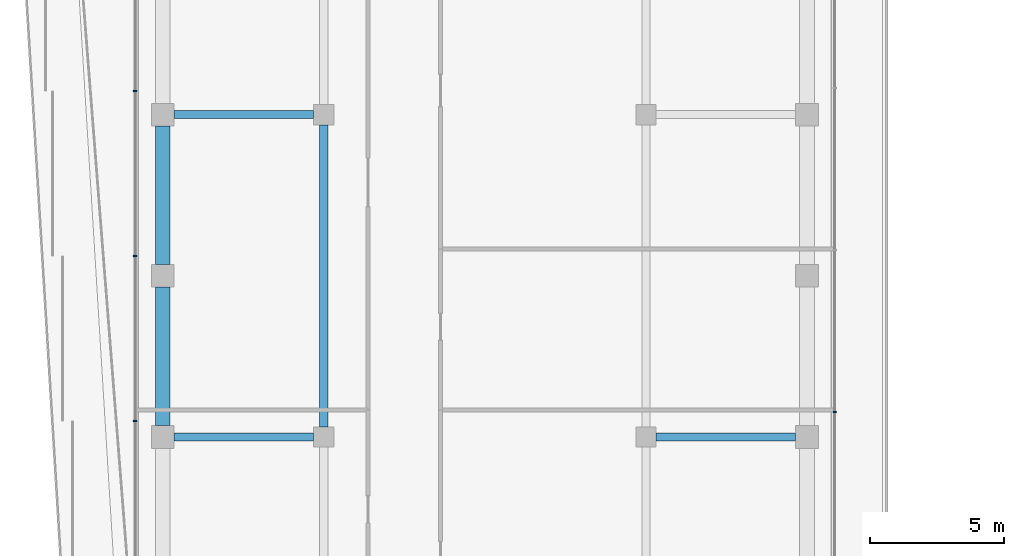
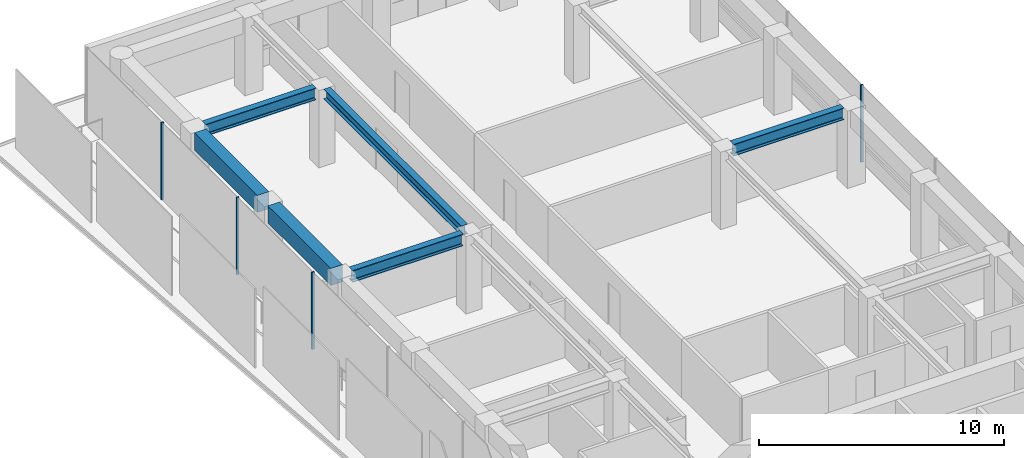
# One storey, part 13 of 21: 6 beams, 4 members, 2 elements without a shape of their own.
"""IFC4 building model written with IfcOpenShell, lengths in metres."""

from ifc_helpers import new_model, si_unit, direction, frame, origin, origin_2d, place, context, subcontext, project, spatial, rectangle, i_section, extrude, material, layer, layer_set, material_profile, profile_set, type_object, element, aggregate, save


model = new_model("IFC4")

# Units and contexts
model_context = context("Model", 3, precision=1e-05, world=origin(), true_north=direction((0.0, 1.0)))
body_context = subcontext(model_context, "Body", "Model", "MODEL_VIEW")
ifc_project = project(units=[si_unit("LENGTHUNIT", "METRE"), si_unit("AREAUNIT", "SQUARE_METRE"), si_unit("VOLUMEUNIT", "CUBIC_METRE"), si_unit("PLANEANGLEUNIT", "RADIAN"), si_unit("MASSUNIT", "GRAM", prefix="KILO")], contexts=[model_context])

# Site, building, storey
site_placement = place(None, origin())
site = spatial("IfcSite", under=ifc_project, at=site_placement, CompositionType="ELEMENT")
building_placement = place(site_placement, origin())
building = spatial("IfcBuilding", under=site, at=building_placement, Name="Welwitschia Terrace Campus", CompositionType="ELEMENT")
storey_placement = place(building_placement, frame((0.0, 0.0, 184.39990234375)))
storey = spatial("IfcBuildingStorey", under=building, at=storey_placement, Name="L41", CompositionType="ELEMENT", Elevation=184.39990234375)

# Beam
ifc_material_1 = material(Name="Steel S355", Category="steel")
ifc_material_profile_1 = material_profile(ifc_material_1, i_section(OverallWidth=0.300048828125, OverallDepth=0.489990234375, WebThickness=0.011962890625, FlangeThickness=0.02294921875, FilletRadius=0.027099609375, at=origin_2d()))
ifc_profile_set_1 = profile_set([ifc_material_profile_1], Name="Steel S355")
beam_type_1 = type_object("IfcBeamType", Name="Interior girder HE 500 A", PredefinedType="BEAM", material=ifc_profile_set_1)
beam_placement = place(storey_placement, frame((6.0, 44.37548828125, 3.60498046875), z_axis=(0.0, 1.0, 0.0), x_axis=(-1.0, 0.0, 0.0)))
element("IfcBeam", 1, at=beam_placement, inside=storey, type_object=beam_type_1, Name="Girder GB4", PredefinedType="BEAM", context=body_context, shape_type="SweptSolid", body=[
    extrude(i_section(OverallWidth=0.300048828125, OverallDepth=0.489990234375, WebThickness=0.011962890625, FlangeThickness=0.02294921875, FilletRadius=0.027099609375, at=origin_2d()), origin(), (0.0, 0.0, 1.0), 11.2490234375),
])

# Curtain wall, member
ifc_material_2 = material(Name="Bronze anodised aluminium", Category="aluminium")
ifc_layer = layer(ifc_material_2, 0.1201171875)
ifc_layer_set = layer_set([ifc_layer], Name="Bronze anodised aluminium")
curtain_wall_type = type_object("IfcCurtainWallType", Name="Curtain wall CW2 tower 6000", PredefinedType="NOTDEFINED", material=ifc_layer_set)
curtain_wall_1_placement = place(storey_placement, origin())
curtain_wall_1 = element("IfcCurtainWall", 2, at=curtain_wall_1_placement, inside=storey, type_object=curtain_wall_type, Name="CW L41.7.0", PredefinedType="NOTDEFINED")
ifc_material_3 = material(Name="Bronze anodised aluminium", Category="aluminium")
ifc_material_profile_2 = material_profile(ifc_material_3, rectangle(XDim=0.1201171875, YDim=0.06005859375, at=origin_2d()))
ifc_profile_set_2 = profile_set([ifc_material_profile_2], Name="Bronze anodised aluminium")
member_type = type_object("IfcMemberType", Name="Mullion 60x120", PredefinedType="MULLION", material=ifc_profile_set_2)
member_1_placement = place(storey_placement, frame((25.030029296875, 44.92919921875, 0.0), z_axis=(0.0, 0.0, 1.0), x_axis=(-1.0, 0.0, 0.0)))
member_1 = element("IfcMember", 3, at=member_1_placement, type_object=member_type, Name="Mullion L41.7.0.3", PredefinedType="MULLION", context=body_context, shape_type="SweptSolid", body=[
    extrude(rectangle(XDim=0.1201171875, YDim=0.06005859375, at=origin_2d()), origin(), (0.0, 0.0, 1.0), 3.85009765625),
])
aggregate(curtain_wall_1, [member_1])

# Curtain wall, members
curtain_wall_2_placement = place(storey_placement, origin())
curtain_wall_2 = element("IfcCurtainWall", 4, at=curtain_wall_2_placement, inside=storey, type_object=curtain_wall_type, Name="CW L41.10.0", PredefinedType="NOTDEFINED")
member_2_placement = place(storey_placement, frame((-1.030029296875, 56.88427734375, 0.0), z_axis=(0.0, 0.0, 1.0), x_axis=(1.0, 0.0, 0.0)))
member_2 = element("IfcMember", 5, at=member_2_placement, type_object=member_type, Name="Mullion L41.10.0.1", PredefinedType="MULLION", context=body_context, shape_type="SweptSolid", body=[
    extrude(rectangle(XDim=0.1201171875, YDim=0.06005859375, at=origin_2d()), origin(), (0.0, 0.0, 1.0), 3.85009765625),
])
member_3_placement = place(storey_placement, frame((-1.030029296875, 50.73876953125, 0.0), z_axis=(0.0, 0.0, 1.0), x_axis=(1.0, 0.0, 0.0)))
member_3 = element("IfcMember", 6, at=member_3_placement, type_object=member_type, Name="Mullion L41.10.0.2", PredefinedType="MULLION", context=body_context, shape_type="SweptSolid", body=[
    extrude(rectangle(XDim=0.1201171875, YDim=0.06005859375, at=origin_2d()), origin(), (0.0, 0.0, 1.0), 3.85009765625),
])
member_4_placement = place(storey_placement, frame((-1.030029296875, 44.593017578125, 0.0), z_axis=(0.0, 0.0, 1.0), x_axis=(1.0, 0.0, 0.0)))
member_4 = element("IfcMember", 7, at=member_4_placement, type_object=member_type, Name="Mullion L41.10.0.3", PredefinedType="MULLION", context=body_context, shape_type="SweptSolid", body=[
    extrude(rectangle(XDim=0.1201171875, YDim=0.06005859375, at=origin_2d()), origin(), (0.0, 0.0, 1.0), 3.85009765625),
])
aggregate(curtain_wall_2, [member_2, member_3, member_4])

# Beams
ifc_material_4 = material(Name="Steel S355", Category="steel")
ifc_material_profile_3 = material_profile(ifc_material_4, i_section(OverallWidth=0.300048828125, OverallDepth=0.590087890625, WebThickness=0.012939453125, FlangeThickness=0.02490234375, FilletRadius=0.027099609375, at=origin_2d()))
ifc_profile_set_3 = profile_set([ifc_material_profile_3], Name="Steel S355")
beam_type_2 = type_object("IfcBeamType", Name="Primary beam HE 600 A", PredefinedType="BEAM", material=ifc_profile_set_3)
for number, where, z_axis, x_axis, name in (
    (8, (23.574462890625, 44.0, 3.55517578125), (-1.0, 0.0, 0.0), (0.0, -1.0, 0.0), "Primary beam PB4"),
    (9, (0.425537109375, 56.0, 3.55517578125), (1.0, 0.0, 0.0), (0.0, 1.0, 0.0), "Primary beam PB4"),
    (10, (0.425537109375, 44.0, 3.55517578125), (1.0, 0.0, 0.0), (0.0, 1.0, 0.0), "Primary beam PB4"),
):
    element("IfcBeam", number, at=place(storey_placement, frame(where, z_axis=z_axis, x_axis=x_axis)), inside=storey, type_object=beam_type_2, Name=name, PredefinedType="BEAM", context=body_context, shape_type="SweptSolid", body=[
        extrude(i_section(OverallWidth=0.300048828125, OverallDepth=0.590087890625, WebThickness=0.012939453125, FlangeThickness=0.02490234375, FilletRadius=0.027099609375, at=origin_2d()), origin(), (0.0, 0.0, 1.0), 5.198974609375),
    ])
ifc_material_5 = material(Name="Concrete C50/60", Category="concrete")
ifc_material_profile_4 = material_profile(ifc_material_5, rectangle(XDim=0.550048828125, YDim=0.85009765625, at=origin_2d()))
ifc_profile_set_4 = profile_set([ifc_material_profile_4], Name="Concrete C50/60")
beam_type_3 = type_object("IfcBeamType", Name="Ring spandrel 550x850", PredefinedType="SPANDREL", material=ifc_profile_set_4)
for number, where, z_axis, x_axis, name in (
    (11, (0.0, 55.574462890625, 3.425048828125), (0.0, -1.0, 0.0), (1.0, 0.0, 0.0), "Spandrel SP3"),
    (12, (0.0, 49.574462890625, 3.425048828125), (0.0, -1.0, 0.0), (1.0, 0.0, 0.0), "Spandrel SP3"),
):
    element("IfcBeam", number, at=place(storey_placement, frame(where, z_axis=z_axis, x_axis=x_axis)), inside=storey, type_object=beam_type_3, Name=name, PredefinedType="SPANDREL", context=body_context, shape_type="SweptSolid", body=[
        extrude(rectangle(XDim=0.550048828125, YDim=0.85009765625, at=origin_2d()), origin(), (0.0, 0.0, 1.0), 5.14892578125),
    ])

save(model, "model.ifc")
